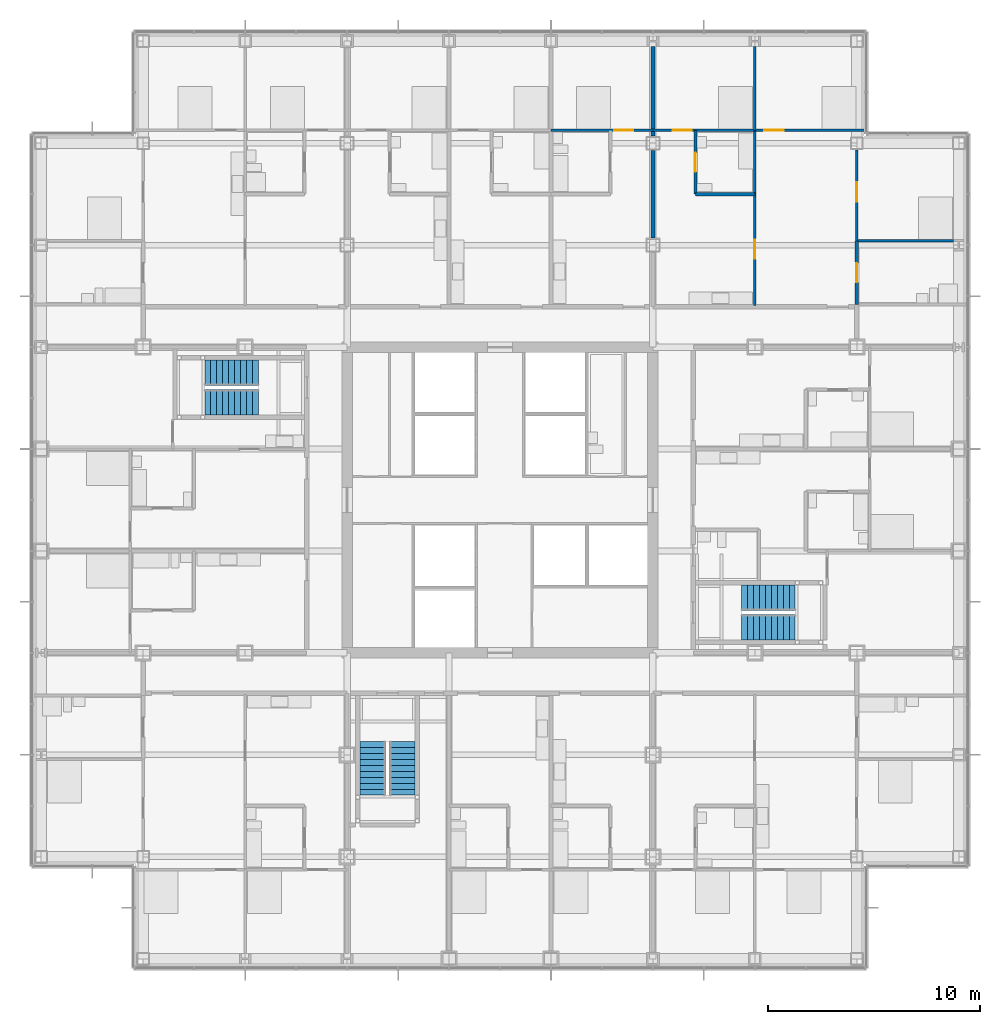
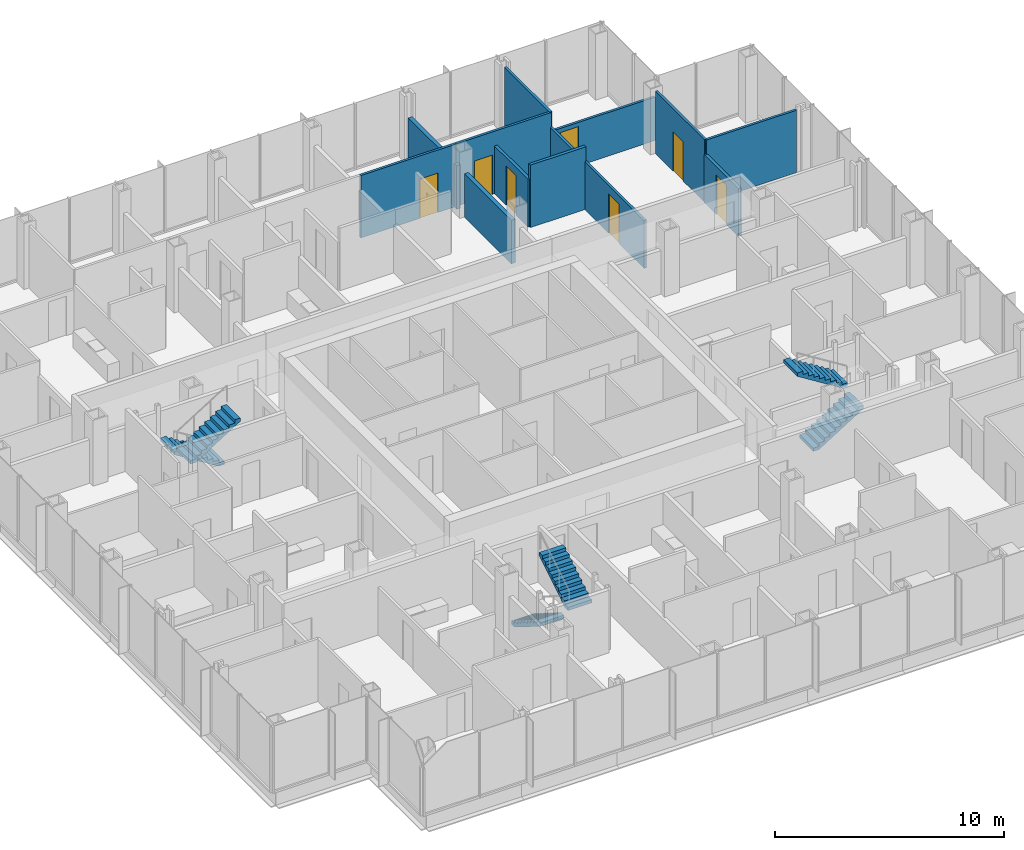
# One storey, part 18 of 21: 12 walls, 7 doors, 6 stair flights, 7 openings, 3 elements without a shape of their own.
"""IFC4 building model written with IfcOpenShell, lengths in metres."""

from ifc_helpers import new_model, si_unit, direction, frame, frame_2d, origin, place, context, subcontext, project, spatial, polyline, rectangle, outline, extrude, material, layer, layer_set, type_object, element, fill, aggregate, save


model = new_model("IFC4")

# Units and contexts
model_context = context("Model", 3, precision=1e-05, world=origin(), true_north=direction((0.0, 1.0)))
body_context = subcontext(model_context, "Body", "Model", "MODEL_VIEW")
ifc_project = project(units=[si_unit("LENGTHUNIT", "METRE"), si_unit("AREAUNIT", "SQUARE_METRE"), si_unit("VOLUMEUNIT", "CUBIC_METRE"), si_unit("PLANEANGLEUNIT", "RADIAN"), si_unit("MASSUNIT", "GRAM", prefix="KILO")], contexts=[model_context])

# Site, building, storey
site_placement = place(None, origin())
site = spatial("IfcSite", under=ifc_project, at=site_placement, CompositionType="ELEMENT")
building_placement = place(site_placement, origin())
building = spatial("IfcBuilding", under=site, at=building_placement, Name="Kvirike Care Tower", CompositionType="ELEMENT")
storey_placement = place(building_placement, frame((0.0, 0.0, 55.0)))
storey = spatial("IfcBuildingStorey", under=building, at=storey_placement, Name="L14", CompositionType="ELEMENT", Elevation=55.0)

# Wall, opening, door
ifc_material_1 = material(Name="Moisture-resistant board partition", Category="gypsum")
ifc_layer_1 = layer(ifc_material_1, 0.14990234375)
ifc_layer_set_1 = layer_set([ifc_layer_1], Name="BATHROOM WALL 150")
wall_type_1 = type_object("IfcWallType", Name="BATHROOM WALL 150", PredefinedType="PARTITIONING", material=ifc_layer_set_1)
wall_1_placement = place(storey_placement, frame((38.39990234375, 48.199951171875, 0.0), z_axis=(0.0, 0.0, 1.0), x_axis=(0.0, -1.0, 0.0)))
wall_1 = element("IfcWall", 1, at=wall_1_placement, inside=storey, type_object=wall_type_1, Name="Bathroom Wall 150 L14", PredefinedType="PARTITIONING", context=body_context, shape_type="SweptSolid", body=[
    extrude(rectangle(XDim=3.0, YDim=0.14990234375, at=frame_2d((1.5, 0.0))), origin(), (0.0, 0.0, 1.0), 2.550048828125),
])
opening_1_placement = place(wall_1_placement, frame((1.050048828125, 0.0, 0.0)))
opening_1 = element("IfcOpeningElement", 2, at=opening_1_placement, cuts=wall_1, Name="Opening 14-057", PredefinedType="OPENING", context=body_context, shape_type="SweptSolid", body=[
    extrude(rectangle(XDim=0.89990234375, YDim=2.10009765625, at=frame_2d((0.449951171875, 1.050048828125))), frame((0.0, 0.08544921875, 0.0), z_axis=(0.0, -1.0, 0.0), x_axis=(1.0, 0.0, 0.0)), (0.0, 0.0, 1.0), 0.1708984375),
])
ifc_material_2 = material(Name="Timber door set", Category="wood")
door_type_1 = type_object("IfcDoorType", Name="BATHROOM DOOR 900", OperationType="SINGLE_SWING_RIGHT", PredefinedType="DOOR", material=ifc_material_2)
door_1_placement = place(opening_1_placement, origin())
door_1 = element("IfcDoor", 3, at=door_1_placement, inside=storey, type_object=door_type_1, Name="Shower room door", OperationType="SINGLE_SWING_RIGHT", OverallHeight=2.10009765625, OverallWidth=0.89990234375, PredefinedType="DOOR", context=body_context, shape_type="SweptSolid", body=[
    extrude(rectangle(XDim=0.89990234375, YDim=2.10009765625, at=frame_2d((0.449951171875, 1.050048828125))), frame((0.0, 0.02197265625, 0.0), z_axis=(0.0, -1.0, 0.0), x_axis=(1.0, 0.0, 0.0)), (0.0, 0.0, 1.0), 0.0439453125),
])
fill(opening_1, door_1)

wall_2_placement = place(storey_placement, frame((30.800048828125, 53.39990234375, 0.0), z_axis=(0.0, 0.0, 1.0), x_axis=(0.0, -1.0, 0.0)))
wall_2 = element("IfcWall", 4, at=wall_2_placement, inside=storey, type_object=wall_type_1, Name="Bathroom Wall 150 L14", PredefinedType="PARTITIONING", context=body_context, shape_type="SweptSolid", body=[
    extrude(rectangle(XDim=3.0, YDim=0.14990234375, at=frame_2d((1.5, 0.0))), origin(), (0.0, 0.0, 1.0), 2.550048828125),
])
opening_2_placement = place(wall_2_placement, frame((1.050048828125, 0.0, 0.0)))
opening_2 = element("IfcOpeningElement", 5, at=opening_2_placement, cuts=wall_2, Name="Opening 14-058", PredefinedType="OPENING", context=body_context, shape_type="SweptSolid", body=[
    extrude(rectangle(XDim=0.89990234375, YDim=2.10009765625, at=frame_2d((0.449951171875, 1.050048828125))), frame((0.0, 0.08544921875, 0.0), z_axis=(0.0, -1.0, 0.0), x_axis=(1.0, 0.0, 0.0)), (0.0, 0.0, 1.0), 0.1708984375),
])
door_2_placement = place(opening_2_placement, origin())
door_2 = element("IfcDoor", 6, at=door_2_placement, inside=storey, type_object=door_type_1, Name="Bathroom door", OperationType="SINGLE_SWING_LEFT", OverallHeight=2.10009765625, OverallWidth=0.89990234375, PredefinedType="DOOR", context=body_context, shape_type="SweptSolid", body=[
    extrude(rectangle(XDim=0.89990234375, YDim=2.10009765625, at=frame_2d((0.449951171875, 1.050048828125))), frame((0.0, 0.02197265625, 0.0), z_axis=(0.0, -1.0, 0.0), x_axis=(1.0, 0.0, 0.0)), (0.0, 0.0, 1.0), 0.0439453125),
])
fill(opening_2, door_2)

# Wall
wall_3_placement = place(storey_placement, frame((33.60009765625, 50.39990234375, 0.0), z_axis=(0.0, 0.0, 1.0), x_axis=(-1.0, 0.0, 0.0)))
element("IfcWall", 7, at=wall_3_placement, inside=storey, type_object=wall_type_1, Name="Bathroom Wall 150 L14", PredefinedType="PARTITIONING", context=body_context, shape_type="SweptSolid", body=[
    extrude(rectangle(XDim=2.800048828125, YDim=0.14990234375, at=frame_2d((1.39990234375, 0.0))), origin(), (0.0, 0.0, 1.0), 3.330078125),
])

# Wall, opening, door
ifc_material_3 = material(Name="Plasterboard partition", Category="gypsum")
ifc_layer_2 = layer(ifc_material_3, 0.1201171875)
ifc_layer_set_2 = layer_set([ifc_layer_2], Name="PARTITION 120")
wall_type_2 = type_object("IfcWallType", Name="PARTITION 120", PredefinedType="PARTITIONING", material=ifc_layer_set_2)
wall_4_placement = place(storey_placement, frame((28.800048828125, 53.39990234375, 0.0), z_axis=(0.0, 0.0, 1.0), x_axis=(-1.0, 0.0, 0.0)))
wall_4 = element("IfcWall", 8, at=wall_4_placement, inside=storey, type_object=wall_type_2, Name="Partition 120 L14", PredefinedType="PARTITIONING", context=body_context, shape_type="SweptSolid", body=[
    extrude(rectangle(XDim=4.800048828125, YDim=0.1201171875, at=frame_2d((2.39990234375, 0.0))), origin(), (0.0, 0.0, 1.0), 3.330078125),
])
opening_3_placement = place(wall_4_placement, frame((0.925048828125, 0.0, 0.0)))
opening_3 = element("IfcOpeningElement", 9, at=opening_3_placement, cuts=wall_4, Name="Opening 14-033", PredefinedType="OPENING", context=body_context, shape_type="SweptSolid", body=[
    extrude(rectangle(XDim=0.89990234375, YDim=2.10009765625, at=frame_2d((0.449951171875, 1.050048828125))), frame((0.0, 0.070556640625, 0.0), z_axis=(0.0, -1.0, 0.0), x_axis=(1.0, 0.0, 0.0)), (0.0, 0.0, 1.0), 0.14111328125),
])
ifc_material_4 = material(Name="Timber door set", Category="wood")
door_type_2 = type_object("IfcDoorType", Name="INTERNAL DOOR 900", OperationType="SINGLE_SWING_LEFT", PredefinedType="DOOR", material=ifc_material_4)
door_3_placement = place(opening_3_placement, frame((0.89990234375, 0.0, 0.0), z_axis=(0.0, 0.0, 1.0), x_axis=(-1.0, 0.0, 0.0)))
door_3 = element("IfcDoor", 10, at=door_3_placement, inside=storey, type_object=door_type_2, Name="Studio apartment living room door", OperationType="SINGLE_SWING_LEFT", OverallHeight=2.10009765625, OverallWidth=0.89990234375, PredefinedType="DOOR", context=body_context, shape_type="SweptSolid", body=[
    extrude(rectangle(XDim=0.89990234375, YDim=2.10009765625, at=frame_2d((0.449951171875, 1.050048828125))), frame((0.0, 0.02197265625, 0.0), z_axis=(0.0, -1.0, 0.0), x_axis=(1.0, 0.0, 0.0)), (0.0, 0.0, 1.0), 0.0439453125),
])
fill(opening_3, door_3)

wall_5_placement = place(storey_placement, frame((33.60009765625, 53.39990234375, 0.0), z_axis=(0.0, 0.0, 1.0), x_axis=(0.0, -1.0, 0.0)))
wall_5 = element("IfcWall", 11, at=wall_5_placement, inside=storey, type_object=wall_type_2, Name="Partition 120 L14", PredefinedType="PARTITIONING", context=body_context, shape_type="SweptSolid", body=[
    extrude(rectangle(XDim=8.25, YDim=0.1201171875, at=frame_2d((4.125, 0.0))), origin(), (0.0, 0.0, 1.0), 2.550048828125),
])
opening_4_placement = place(wall_5_placement, frame((5.14990234375, 0.0, 0.0)))
opening_4 = element("IfcOpeningElement", 12, at=opening_4_placement, cuts=wall_5, Name="Opening 14-059", PredefinedType="OPENING", context=body_context, shape_type="SweptSolid", body=[
    extrude(rectangle(XDim=0.89990234375, YDim=2.10009765625, at=frame_2d((0.449951171875, 1.050048828125))), frame((0.0, 0.070556640625, 0.0), z_axis=(0.0, -1.0, 0.0), x_axis=(1.0, 0.0, 0.0)), (0.0, 0.0, 1.0), 0.14111328125),
])
door_4_placement = place(opening_4_placement, frame((0.89990234375, 0.0, 0.0), z_axis=(0.0, 0.0, 1.0), x_axis=(-1.0, 0.0, 0.0)))
door_4 = element("IfcDoor", 13, at=door_4_placement, inside=storey, type_object=door_type_2, Name="Hall door", OperationType="SINGLE_SWING_LEFT", OverallHeight=2.10009765625, OverallWidth=0.89990234375, PredefinedType="DOOR", context=body_context, shape_type="SweptSolid", body=[
    extrude(rectangle(XDim=0.89990234375, YDim=2.10009765625, at=frame_2d((0.449951171875, 1.050048828125))), frame((0.0, 0.02197265625, 0.0), z_axis=(0.0, -1.0, 0.0), x_axis=(1.0, 0.0, 0.0)), (0.0, 0.0, 1.0), 0.0439453125),
])
fill(opening_4, door_4)

# Wall
wall_6_placement = place(storey_placement, frame((42.9560546875, 48.199951171875, 0.0), z_axis=(0.0, 0.0, 1.0), x_axis=(-1.0, 0.0, 0.0)))
element("IfcWall", 14, at=wall_6_placement, inside=storey, type_object=wall_type_2, Name="Partition 120 L14", PredefinedType="PARTITIONING", context=body_context, shape_type="SweptSolid", body=[
    extrude(rectangle(XDim=4.55615234375, YDim=0.1201171875, at=frame_2d((2.278076171875, 0.0))), origin(), (0.0, 0.0, 1.0), 3.330078125),
])

# Wall, opening, door
wall_7_placement = place(storey_placement, frame((38.8349609375, 53.39990234375, 0.0), z_axis=(0.0, 0.0, 1.0), x_axis=(-1.0, 0.0, 0.0)))
wall_7 = element("IfcWall", 15, at=wall_7_placement, inside=storey, type_object=wall_type_2, Name="Partition 120 L14", PredefinedType="PARTITIONING", context=body_context, shape_type="SweptSolid", body=[
    extrude(rectangle(XDim=5.23486328125, YDim=0.1201171875, at=frame_2d((2.617431640625, 0.0))), origin(), (0.0, 0.0, 1.0), 2.320068359375),
])
opening_5_placement = place(wall_7_placement, frame((3.885009765625, 0.0, 0.0)))
opening_5 = element("IfcOpeningElement", 16, at=opening_5_placement, cuts=wall_7, Name="Opening 14-060", PredefinedType="OPENING", context=body_context, shape_type="SweptSolid", body=[
    extrude(rectangle(XDim=0.89990234375, YDim=2.10009765625, at=frame_2d((0.449951171875, 1.050048828125))), frame((0.0, 0.070556640625, 0.0), z_axis=(0.0, -1.0, 0.0), x_axis=(1.0, 0.0, 0.0)), (0.0, 0.0, 1.0), 0.14111328125),
])
door_5_placement = place(opening_5_placement, frame((0.89990234375, 0.0, 0.0), z_axis=(0.0, 0.0, 1.0), x_axis=(-1.0, 0.0, 0.0)))
door_5 = element("IfcDoor", 17, at=door_5_placement, inside=storey, type_object=door_type_2, Name="Apartment bedroom door", OperationType="SINGLE_SWING_RIGHT", OverallHeight=2.10009765625, OverallWidth=0.89990234375, PredefinedType="DOOR", context=body_context, shape_type="SweptSolid", body=[
    extrude(rectangle(XDim=0.89990234375, YDim=2.10009765625, at=frame_2d((0.449951171875, 1.050048828125))), frame((0.0, 0.02197265625, 0.0), z_axis=(0.0, -1.0, 0.0), x_axis=(1.0, 0.0, 0.0)), (0.0, 0.0, 1.0), 0.0439453125),
])
fill(opening_5, door_5)

wall_8_placement = place(storey_placement, frame((33.60009765625, 53.39990234375, 0.0), z_axis=(0.0, 0.0, 1.0), x_axis=(-1.0, 0.0, 0.0)))
wall_8 = element("IfcWall", 18, at=wall_8_placement, inside=storey, type_object=wall_type_2, Name="Partition 120 L14", PredefinedType="PARTITIONING", context=body_context, shape_type="SweptSolid", body=[
    extrude(rectangle(XDim=4.800048828125, YDim=0.1201171875, at=frame_2d((2.39990234375, 0.0))), origin(), (0.0, 0.0, 1.0), 3.330078125),
])
opening_6_placement = place(wall_8_placement, frame((2.97509765625, 0.0, 0.0)))
opening_6 = element("IfcOpeningElement", 19, at=opening_6_placement, cuts=wall_8, Name="Opening 14-061", PredefinedType="OPENING", context=body_context, shape_type="SweptSolid", body=[
    extrude(rectangle(XDim=0.89990234375, YDim=2.10009765625, at=frame_2d((0.449951171875, 1.050048828125))), frame((0.0, 0.070556640625, 0.0), z_axis=(0.0, -1.0, 0.0), x_axis=(1.0, 0.0, 0.0)), (0.0, 0.0, 1.0), 0.14111328125),
])
door_6_placement = place(opening_6_placement, frame((0.89990234375, 0.0, 0.0), z_axis=(0.0, 0.0, 1.0), x_axis=(-1.0, 0.0, 0.0)))
door_6 = element("IfcDoor", 20, at=door_6_placement, inside=storey, type_object=door_type_2, Name="Apartment bedroom door", OperationType="SINGLE_SWING_LEFT", OverallHeight=2.10009765625, OverallWidth=0.89990234375, PredefinedType="DOOR", context=body_context, shape_type="SweptSolid", body=[
    extrude(rectangle(XDim=0.89990234375, YDim=2.10009765625, at=frame_2d((0.449951171875, 1.050048828125))), frame((0.0, 0.02197265625, 0.0), z_axis=(0.0, -1.0, 0.0), x_axis=(1.0, 0.0, 0.0)), (0.0, 0.0, 1.0), 0.0439453125),
])
fill(opening_6, door_6)

wall_9_placement = place(storey_placement, frame((38.39990234375, 52.47998046875, 0.0), z_axis=(0.0, 0.0, 1.0), x_axis=(0.0, -1.0, 0.0)))
wall_9 = element("IfcWall", 21, at=wall_9_placement, inside=storey, type_object=wall_type_2, Name="Partition 120 L14", PredefinedType="PARTITIONING", context=body_context, shape_type="SweptSolid", body=[
    extrude(rectangle(XDim=4.280029296875, YDim=0.1201171875, at=frame_2d((2.14013671875, 0.0))), origin(), (0.0, 0.0, 1.0), 3.330078125),
])
opening_7_placement = place(wall_9_placement, frame((1.530029296875, 0.0, 0.0)))
opening_7 = element("IfcOpeningElement", 22, at=opening_7_placement, cuts=wall_9, Name="Opening 14-062", PredefinedType="OPENING", context=body_context, shape_type="SweptSolid", body=[
    extrude(rectangle(XDim=0.89990234375, YDim=2.10009765625, at=frame_2d((0.449951171875, 1.050048828125))), frame((0.0, 0.070556640625, 0.0), z_axis=(0.0, -1.0, 0.0), x_axis=(1.0, 0.0, 0.0)), (0.0, 0.0, 1.0), 0.14111328125),
])
door_7_placement = place(opening_7_placement, origin())
door_7 = element("IfcDoor", 23, at=door_7_placement, inside=storey, type_object=door_type_2, Name="Connecting door", OperationType="SINGLE_SWING_LEFT", OverallHeight=2.10009765625, OverallWidth=0.89990234375, PredefinedType="DOOR", context=body_context, shape_type="SweptSolid", body=[
    extrude(rectangle(XDim=0.89990234375, YDim=2.10009765625, at=frame_2d((0.449951171875, 1.050048828125))), frame((0.0, 0.02197265625, 0.0), z_axis=(0.0, -1.0, 0.0), x_axis=(1.0, 0.0, 0.0)), (0.0, 0.0, 1.0), 0.0439453125),
])
fill(opening_7, door_7)

# Walls
wall_10_placement = place(storey_placement, frame((33.60009765625, 57.35595703125, 0.0), z_axis=(0.0, 0.0, 1.0), x_axis=(0.0, -1.0, 0.0)))
element("IfcWall", 24, at=wall_10_placement, inside=storey, type_object=wall_type_2, Name="Partition 120 L14", PredefinedType="PARTITIONING", context=body_context, shape_type="SweptSolid", body=[
    extrude(rectangle(XDim=3.9560546875, YDim=0.1201171875, at=frame_2d((1.97802734375, 0.0))), origin(), (0.0, 0.0, 1.0), 3.330078125),
])
ifc_material_5 = material(Name="Plasterboard party wall", Category="gypsum")
ifc_layer_3 = layer(ifc_material_5, 0.199951171875)
ifc_layer_set_3 = layer_set([ifc_layer_3], Name="PARTY WALL 200")
wall_type_3 = type_object("IfcWallType", Name="PARTY WALL 200", PredefinedType="PARTITIONING", material=ifc_layer_set_3)
wall_11_placement = place(storey_placement, frame((28.800048828125, 48.344970703125, 0.0), z_axis=(0.0, 0.0, 1.0), x_axis=(0.0, 1.0, 0.0)))
element("IfcWall", 25, at=wall_11_placement, inside=storey, type_object=wall_type_3, Name="Party Wall 200 L14", PredefinedType="PARTITIONING", context=body_context, shape_type="SweptSolid", body=[
    extrude(rectangle(XDim=4.110107421875, YDim=0.199951171875, at=frame_2d((2.05517578125, 0.0))), origin(), (0.0, 0.0, 1.0), 2.320068359375),
])
wall_12_placement = place(storey_placement, frame((28.800048828125, 53.14501953125, 0.0), z_axis=(0.0, 0.0, 1.0), x_axis=(0.0, 1.0, 0.0)))
element("IfcWall", 26, at=wall_12_placement, inside=storey, type_object=wall_type_3, Name="Party Wall 200 L14", PredefinedType="PARTITIONING", context=body_context, shape_type="SweptSolid", body=[
    extrude(rectangle(XDim=4.2109375, YDim=0.199951171875, at=frame_2d((2.10546875, 0.0))), origin(), (0.0, 0.0, 1.0), 2.320068359375),
])

# Stair, stair flights
ifc_material_6 = material(Name="Concrete C35/45", Category="concrete")
stair_type = type_object("IfcStairType", Name="STAIR 20 RISERS", PredefinedType="HALF_TURN_STAIR", material=ifc_material_6)
stair_1_placement = place(storey_placement, origin())
stair_1 = element("IfcStair", 27, at=stair_1_placement, inside=storey, type_object=stair_type, Name="Stair 1 L14", PredefinedType="HALF_TURN_STAIR")
ifc_material_7 = material(Name="Concrete C35/45", Category="concrete")
stair_flight_type = type_object("IfcStairFlightType", Name="FLIGHT 10 RISERS", PredefinedType="STRAIGHT", material=ifc_material_7)
stair_flight_1_placement = place(storey_placement, frame((10.219970703125, 42.0, 0.0), z_axis=(0.0, 0.0, 1.0), x_axis=(-1.0, 0.0, 0.0)))
stair_flight_1 = element("IfcStairFlight", 28, at=stair_flight_1_placement, type_object=stair_flight_type, Name="Stair S1 flight 1 L14-L15", NumberOfRisers=10, NumberOfTreads=9, PredefinedType="STRAIGHT", RiserHeight=0.175, TreadLength=0.28, context=body_context, shape_type="SweptSolid", body=[
    extrude(outline(polyline([(0.0, 0.0), (0.0, 0.175048828125), (0.280029296875, 0.175048828125), (0.280029296875, 0.35009765625), (0.56005859375, 0.35009765625), (0.56005859375, 0.52490234375), (0.840087890625, 0.52490234375), (0.840087890625, 0.699951171875), (1.1201171875, 0.699951171875), (1.1201171875, 0.875), (1.39990234375, 0.875), (1.39990234375, 1.050048828125), (1.679931640625, 1.050048828125), (1.679931640625, 1.22509765625), (1.9599609375, 1.22509765625), (1.9599609375, 1.39990234375), (2.239990234375, 1.39990234375), (2.239990234375, 1.574951171875), (2.52001953125, 1.574951171875), (2.52001953125, 1.75), (2.52001953125, 1.398193359375), (0.28271484375, 0.0), (0.0, 0.0)])), frame((0.0, 0.60009765625, 0.0), z_axis=(0.0, -1.0, 0.0), x_axis=(1.0, 0.0, 0.0)), (0.0, 0.0, 1.0), 1.199951171875),
])
stair_flight_2_placement = place(storey_placement, frame((7.699951171875, 40.60009765625, 1.75), z_axis=(0.0, 0.0, 1.0), x_axis=(1.0, 0.0, 0.0)))
stair_flight_2 = element("IfcStairFlight", 29, at=stair_flight_2_placement, type_object=stair_flight_type, Name="Stair S1 flight 2 L14-L15", NumberOfRisers=10, NumberOfTreads=9, PredefinedType="STRAIGHT", RiserHeight=0.175, TreadLength=0.28, context=body_context, shape_type="SweptSolid", body=[
    extrude(outline(polyline([(0.0, 0.0), (0.0, 0.175048828125), (0.280029296875, 0.175048828125), (0.280029296875, 0.35009765625), (0.56005859375, 0.35009765625), (0.56005859375, 0.52490234375), (0.840087890625, 0.52490234375), (0.840087890625, 0.699951171875), (1.1201171875, 0.699951171875), (1.1201171875, 0.875), (1.39990234375, 0.875), (1.39990234375, 1.050048828125), (1.679931640625, 1.050048828125), (1.679931640625, 1.22509765625), (1.9599609375, 1.22509765625), (1.9599609375, 1.39990234375), (2.239990234375, 1.39990234375), (2.239990234375, 1.574951171875), (2.52001953125, 1.574951171875), (2.52001953125, 1.75), (2.52001953125, 1.398193359375), (0.28271484375, 0.0), (0.0, 0.0)])), frame((0.0, 0.60009765625, 0.0), z_axis=(0.0, -1.0, 0.0), x_axis=(1.0, 0.0, 0.0)), (0.0, 0.0, 1.0), 1.199951171875),
])
aggregate(stair_1, [stair_flight_1, stair_flight_2])

stair_2_placement = place(storey_placement, origin())
stair_2 = element("IfcStair", 30, at=stair_2_placement, inside=storey, type_object=stair_type, Name="Stair 2 L14", PredefinedType="HALF_TURN_STAIR")
stair_flight_3_placement = place(storey_placement, frame((32.97998046875, 30.0, 0.0), z_axis=(0.0, 0.0, 1.0), x_axis=(1.0, 0.0, 0.0)))
stair_flight_3 = element("IfcStairFlight", 31, at=stair_flight_3_placement, type_object=stair_flight_type, Name="Stair S2 flight 1 L14-L15", NumberOfRisers=10, NumberOfTreads=9, PredefinedType="STRAIGHT", RiserHeight=0.175, TreadLength=0.28, context=body_context, shape_type="SweptSolid", body=[
    extrude(outline(polyline([(0.0, 0.0), (0.0, 0.175048828125), (0.280029296875, 0.175048828125), (0.280029296875, 0.35009765625), (0.56005859375, 0.35009765625), (0.56005859375, 0.52490234375), (0.840087890625, 0.52490234375), (0.840087890625, 0.699951171875), (1.1201171875, 0.699951171875), (1.1201171875, 0.875), (1.39990234375, 0.875), (1.39990234375, 1.050048828125), (1.679931640625, 1.050048828125), (1.679931640625, 1.22509765625), (1.9599609375, 1.22509765625), (1.9599609375, 1.39990234375), (2.239990234375, 1.39990234375), (2.239990234375, 1.574951171875), (2.52001953125, 1.574951171875), (2.52001953125, 1.75), (2.52001953125, 1.398193359375), (0.28271484375, 0.0), (0.0, 0.0)])), frame((0.0, 0.60009765625, 0.0), z_axis=(0.0, -1.0, 0.0), x_axis=(1.0, 0.0, 0.0)), (0.0, 0.0, 1.0), 1.199951171875),
])
stair_flight_4_placement = place(storey_placement, frame((35.5, 31.39990234375, 1.75), z_axis=(0.0, 0.0, 1.0), x_axis=(-1.0, 0.0, 0.0)))
stair_flight_4 = element("IfcStairFlight", 32, at=stair_flight_4_placement, type_object=stair_flight_type, Name="Stair S2 flight 2 L14-L15", NumberOfRisers=10, NumberOfTreads=9, PredefinedType="STRAIGHT", RiserHeight=0.175, TreadLength=0.28, context=body_context, shape_type="SweptSolid", body=[
    extrude(outline(polyline([(0.0, 0.0), (0.0, 0.175048828125), (0.280029296875, 0.175048828125), (0.280029296875, 0.35009765625), (0.56005859375, 0.35009765625), (0.56005859375, 0.52490234375), (0.840087890625, 0.52490234375), (0.840087890625, 0.699951171875), (1.1201171875, 0.699951171875), (1.1201171875, 0.875), (1.39990234375, 0.875), (1.39990234375, 1.050048828125), (1.679931640625, 1.050048828125), (1.679931640625, 1.22509765625), (1.9599609375, 1.22509765625), (1.9599609375, 1.39990234375), (2.239990234375, 1.39990234375), (2.239990234375, 1.574951171875), (2.52001953125, 1.574951171875), (2.52001953125, 1.75), (2.52001953125, 1.398193359375), (0.28271484375, 0.0), (0.0, 0.0)])), frame((0.0, 0.60009765625, 0.0), z_axis=(0.0, -1.0, 0.0), x_axis=(1.0, 0.0, 0.0)), (0.0, 0.0, 1.0), 1.199951171875),
])
aggregate(stair_2, [stair_flight_3, stair_flight_4])

stair_3_placement = place(storey_placement, origin())
stair_3 = element("IfcStair", 33, at=stair_3_placement, inside=storey, type_object=stair_type, Name="Stair 5 L14", PredefinedType="HALF_TURN_STAIR")
stair_flight_5_placement = place(storey_placement, frame((15.60009765625, 24.6201171875, 0.0), z_axis=(0.0, 0.0, 1.0), x_axis=(0.0, -1.0, 0.0)))
stair_flight_5 = element("IfcStairFlight", 34, at=stair_flight_5_placement, type_object=stair_flight_type, Name="Stair S5 flight 1 L14-L15", NumberOfRisers=10, NumberOfTreads=9, PredefinedType="STRAIGHT", RiserHeight=0.175, TreadLength=0.28, context=body_context, shape_type="SweptSolid", body=[
    extrude(outline(polyline([(0.0, 0.0), (0.0, 0.175048828125), (0.280029296875, 0.175048828125), (0.280029296875, 0.35009765625), (0.56005859375, 0.35009765625), (0.56005859375, 0.52490234375), (0.840087890625, 0.52490234375), (0.840087890625, 0.699951171875), (1.1201171875, 0.699951171875), (1.1201171875, 0.875), (1.39990234375, 0.875), (1.39990234375, 1.050048828125), (1.679931640625, 1.050048828125), (1.679931640625, 1.22509765625), (1.9599609375, 1.22509765625), (1.9599609375, 1.39990234375), (2.239990234375, 1.39990234375), (2.239990234375, 1.574951171875), (2.52001953125, 1.574951171875), (2.52001953125, 1.75), (2.52001953125, 1.398193359375), (0.28271484375, 0.0), (0.0, 0.0)])), frame((0.0, 0.60009765625, 0.0), z_axis=(0.0, -1.0, 0.0), x_axis=(1.0, 0.0, 0.0)), (0.0, 0.0, 1.0), 1.199951171875),
])
stair_flight_6_placement = place(storey_placement, frame((17.0, 22.10009765625, 1.75), z_axis=(0.0, 0.0, 1.0), x_axis=(0.0, 1.0, 0.0)))
stair_flight_6 = element("IfcStairFlight", 35, at=stair_flight_6_placement, type_object=stair_flight_type, Name="Stair S5 flight 2 L14-L15", NumberOfRisers=10, NumberOfTreads=9, PredefinedType="STRAIGHT", RiserHeight=0.175, TreadLength=0.28, context=body_context, shape_type="SweptSolid", body=[
    extrude(outline(polyline([(0.0, 0.0), (0.0, 0.175048828125), (0.280029296875, 0.175048828125), (0.280029296875, 0.35009765625), (0.56005859375, 0.35009765625), (0.56005859375, 0.52490234375), (0.840087890625, 0.52490234375), (0.840087890625, 0.699951171875), (1.1201171875, 0.699951171875), (1.1201171875, 0.875), (1.39990234375, 0.875), (1.39990234375, 1.050048828125), (1.679931640625, 1.050048828125), (1.679931640625, 1.22509765625), (1.9599609375, 1.22509765625), (1.9599609375, 1.39990234375), (2.239990234375, 1.39990234375), (2.239990234375, 1.574951171875), (2.52001953125, 1.574951171875), (2.52001953125, 1.75), (2.52001953125, 1.398193359375), (0.28271484375, 0.0), (0.0, 0.0)])), frame((0.0, 0.60009765625, 0.0), z_axis=(0.0, -1.0, 0.0), x_axis=(1.0, 0.0, 0.0)), (0.0, 0.0, 1.0), 1.199951171875),
])
aggregate(stair_3, [stair_flight_5, stair_flight_6])

save(model, "model.ifc")
